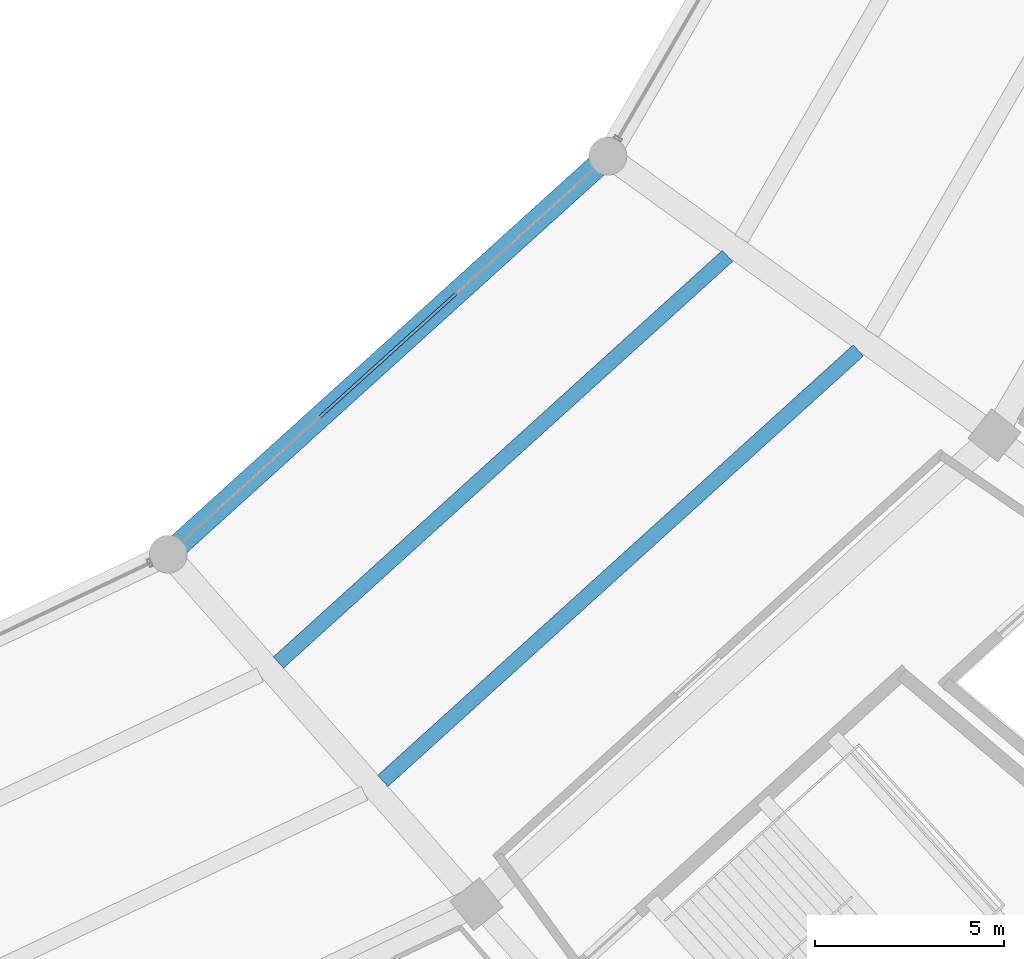
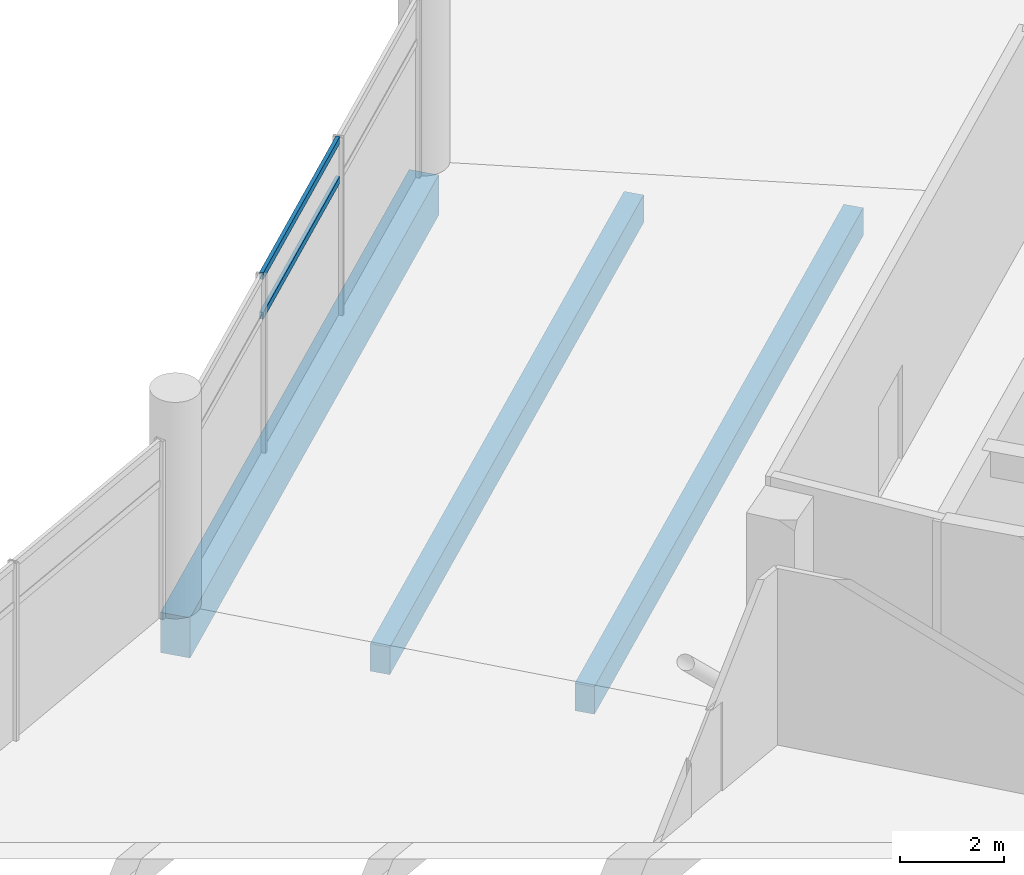
# One storey, part 68 of 184: 3 beams, 2 members, 1 element without a shape of its own.
"""IFC4 building model written with IfcOpenShell, lengths in metres."""

from ifc_helpers import new_model, si_unit, direction, frame, origin, origin_2d, place, context, subcontext, project, spatial, rectangle, hollow_rectangle, extrude, material, layer, layer_set, material_profile, profile_set, type_object, element, aggregate, save


model = new_model("IFC4")

# Units and contexts
model_context = context("Model", 3, precision=1e-05, world=origin(), true_north=direction((0.0, 1.0)))
body_context = subcontext(model_context, "Body", "Model", "MODEL_VIEW")
ifc_project = project(units=[si_unit("LENGTHUNIT", "METRE"), si_unit("AREAUNIT", "SQUARE_METRE"), si_unit("VOLUMEUNIT", "CUBIC_METRE"), si_unit("PLANEANGLEUNIT", "RADIAN"), si_unit("MASSUNIT", "GRAM", prefix="KILO")], contexts=[model_context])

# Site, building, storey
site_placement = place(None, origin())
site = spatial("IfcSite", under=ifc_project, at=site_placement, CompositionType="ELEMENT")
building_placement = place(site_placement, origin())
building = spatial("IfcBuilding", under=site, at=building_placement, Name="Kazemori Nagisa Stadium", CompositionType="ELEMENT")
storey_placement = place(building_placement, frame((0.0, 0.0, 10.5400390625)))
storey = spatial("IfcBuildingStorey", under=building, at=storey_placement, Name="L02", CompositionType="ELEMENT", Elevation=10.5400390625)

# Beams
ifc_material_1 = material(Name="Concrete C40/50 (Fc42)", Category="concrete")
ifc_material_profile_1 = material_profile(ifc_material_1, rectangle(XDim=0.60009765625, YDim=0.949951171875, at=origin_2d()), Name="RC-BM-600x950")
ifc_profile_set_1 = profile_set([ifc_material_profile_1], Name="Concrete C40/50 (Fc42)")
beam_type_1 = type_object("IfcBeamType", Name="Beam_BG-RC600X950", PredefinedType="BEAM", material=ifc_profile_set_1)
beam_1_placement = place(storey_placement, frame((168.696533203125, 50.126953125, -0.735107421875), z_axis=(0.741349160152, 0.6711195294, 0.0), x_axis=(-0.6711195294, 0.741349160152, 0.0)))
element("IfcBeam", 1, at=beam_1_placement, inside=storey, type_object=beam_type_1, Name="Ring girder BG-RC600X950 L02 R1-25", PredefinedType="BEAM", context=body_context, shape_type="SweptSolid", body=[
    extrude(rectangle(XDim=0.60009765625, YDim=0.949951171875, at=origin_2d()), origin(), (0.0, 0.0, 1.0), 15.65380859375),
])
ifc_material_profile_2 = material_profile(ifc_material_1, rectangle(XDim=0.39990234375, YDim=0.64990234375, at=origin_2d()), Name="RC-BM-400x650")
ifc_profile_set_2 = profile_set([ifc_material_profile_2], Name="Concrete C40/50 (Fc42)")
beam_type_2 = type_object("IfcBeamType", Name="Beam_BJ-RC400X650", PredefinedType="JOIST", material=ifc_profile_set_2)
beam_2_placement = place(storey_placement, frame((171.60693359375, 47.269287109375, -0.5849609375), z_axis=(0.741344716793, 0.671124437704, 0.0), x_axis=(-0.671124437704, 0.741344716793, 0.0)))
element("IfcBeam", 2, at=beam_2_placement, inside=storey, type_object=beam_type_2, Name="Concourse joist BJ-RC400X650 L02 B25-1", PredefinedType="JOIST", context=body_context, shape_type="SweptSolid", body=[
    extrude(rectangle(XDim=0.39990234375, YDim=0.64990234375, at=origin_2d()), origin(), (0.0, 0.0, 1.0), 15.986328125),
])
beam_3_placement = place(storey_placement, frame((174.361328125, 44.142822265625, -0.5849609375), z_axis=(0.741349213887, 0.671119470041, 0.0), x_axis=(-0.671119470041, 0.741349213887, 0.0)))
element("IfcBeam", 3, at=beam_3_placement, inside=storey, type_object=beam_type_2, Name="Concourse joist BJ-RC400X650 L02 B25-2", PredefinedType="JOIST", context=body_context, shape_type="SweptSolid", body=[
    extrude(rectangle(XDim=0.39990234375, YDim=0.64990234375, at=origin_2d()), origin(), (0.0, 0.0, 1.0), 16.9296875),
])

# Curtain wall, members
ifc_material_2 = material(Name="Anodised aluminium 6063-T5", Category="aluminium")
ifc_layer = layer(ifc_material_2, 0.2099609375, Name="Anodised aluminium 6063-T5", Category="aluminium")
ifc_layer_set = layer_set([ifc_layer], Name="Anodised aluminium 6063-T5")
curtain_wall_type = type_object("IfcCurtainWallType", Name="CW_L02B_73", PredefinedType="USERDEFINED", material=ifc_layer_set)
curtain_wall_placement = place(storey_placement, origin())
curtain_wall = element("IfcCurtainWall", 4, at=curtain_wall_placement, inside=storey, type_object=curtain_wall_type, Name="Unitised curtain wall CW-L02B-73 L02", ObjectType="UNITISED CURTAIN WALL", PredefinedType="USERDEFINED")
ifc_material_3 = material(Name="Aluminium 6063-T5 anodised", Category="aluminium")
ifc_material_profile_3 = material_profile(ifc_material_3, hollow_rectangle(XDim=0.080078125, YDim=0.159912109375, WallThickness=0.00390625, at=origin_2d()), Name="ALU-TRAN-80x160x4")
ifc_profile_set_3 = profile_set([ifc_material_profile_3], Name="Aluminium 6063-T5 anodised")
member_type = type_object("IfcMemberType", Name="Transom_T02", PredefinedType="USERDEFINED", material=ifc_profile_set_3)
member_1_placement = place(storey_placement, frame((172.7119140625, 53.761962890625, 3.184326171875), z_axis=(0.741352201466, 0.671116169811, 0.0), x_axis=(-0.671116169811, 0.741352201466, 0.0)))
member_1 = element("IfcMember", 5, at=member_1_placement, type_object=member_type, Name="Curtain wall transom CW-L02B-73-T2-mid", ObjectType="TRANSOM", PredefinedType="USERDEFINED", context=body_context, shape_type="SweptSolid", body=[
    extrude(hollow_rectangle(XDim=0.080078125, YDim=0.159912109375, WallThickness=0.00390625, at=origin_2d()), origin(), (0.0, 0.0, 1.0), 4.8212890625),
])
member_2_placement = place(storey_placement, frame((172.7119140625, 53.761962890625, 4.119873046875), z_axis=(0.741352201466, 0.671116169811, 0.0), x_axis=(-0.671116169811, 0.741352201466, 0.0)))
member_2 = element("IfcMember", 6, at=member_2_placement, type_object=member_type, Name="Curtain wall transom CW-L02B-73-T2-head", ObjectType="TRANSOM", PredefinedType="USERDEFINED", context=body_context, shape_type="SweptSolid", body=[
    extrude(hollow_rectangle(XDim=0.080078125, YDim=0.159912109375, WallThickness=0.00390625, at=origin_2d()), origin(), (0.0, 0.0, 1.0), 4.8212890625),
])
aggregate(curtain_wall, [member_1, member_2])

save(model, "model.ifc")
